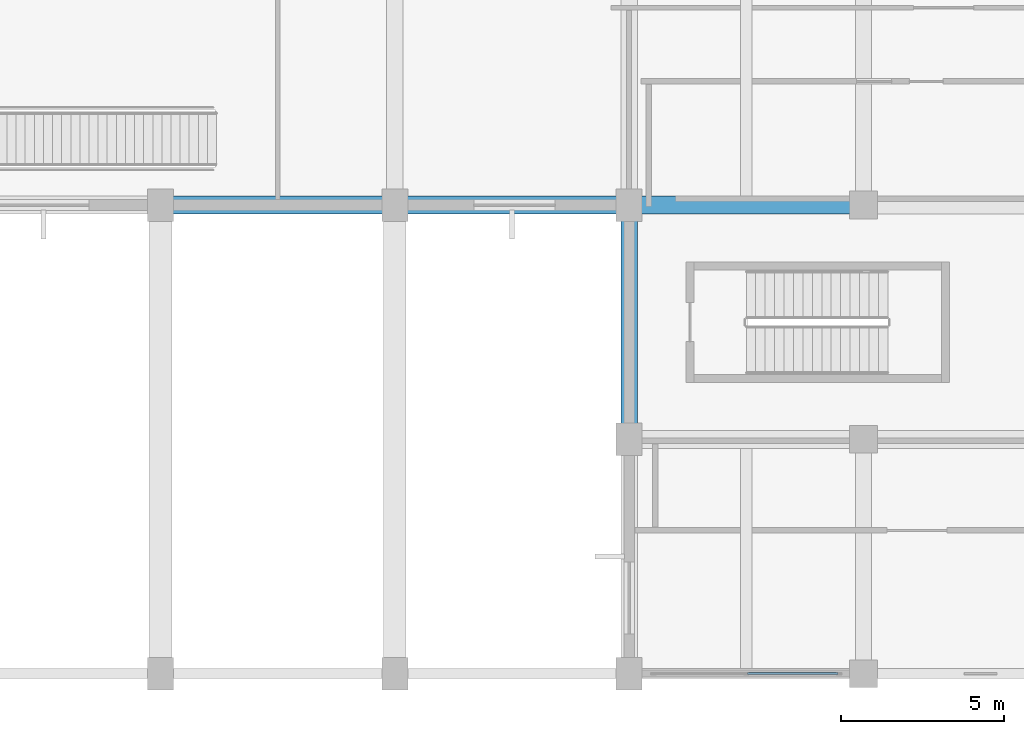
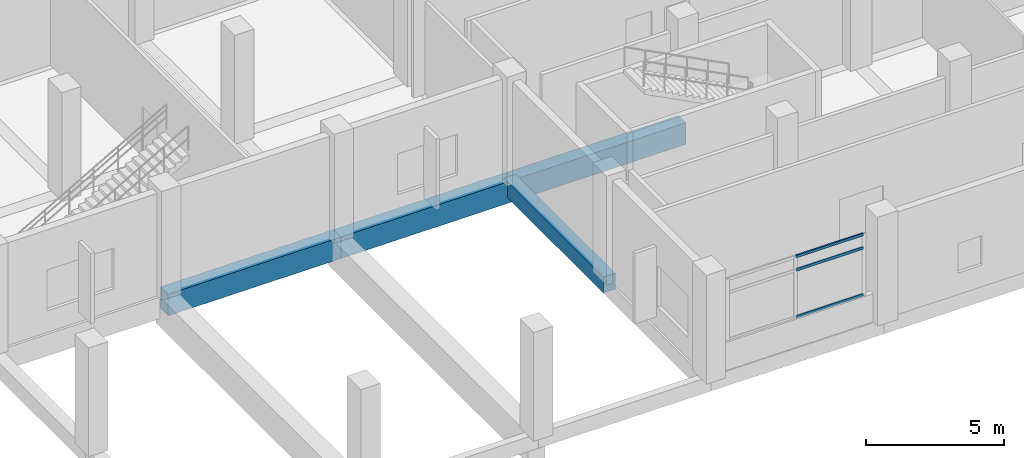
# One storey, part 7 of 181: 4 beams, 3 members, 1 element without a shape of its own.
"""IFC4 building model written with IfcOpenShell, lengths in metres."""

from ifc_helpers import new_model, si_unit, direction, frame, origin, origin_2d, place, context, subcontext, project, spatial, rectangle, hollow_rectangle, extrude, material, layer, layer_set, material_profile, profile_set, type_object, element, aggregate, save


model = new_model("IFC4")

# Units and contexts
model_context = context("Model", 3, precision=1e-05, world=origin(), true_north=direction((0.0, 1.0)))
body_context = subcontext(model_context, "Body", "Model", "MODEL_VIEW")
ifc_project = project(units=[si_unit("LENGTHUNIT", "METRE"), si_unit("AREAUNIT", "SQUARE_METRE"), si_unit("VOLUMEUNIT", "CUBIC_METRE"), si_unit("PLANEANGLEUNIT", "RADIAN"), si_unit("MASSUNIT", "GRAM", prefix="KILO")], contexts=[model_context])

# Site, building, storey
site_placement = place(None, origin())
site = spatial("IfcSite", under=ifc_project, at=site_placement, CompositionType="ELEMENT")
building_placement = place(site_placement, origin())
building = spatial("IfcBuilding", under=site, at=building_placement, Name="Seraya Terrace Polytechnic", CompositionType="ELEMENT")
storey_placement = place(building_placement, frame((0.0, 0.0, 4.800048828125)))
storey = spatial("IfcBuildingStorey", under=building, at=storey_placement, Name="L01", CompositionType="ELEMENT", Elevation=4.800048828125)

# Beams
ifc_material_1 = material(Name="Concrete C40/50", Category="concrete")
ifc_material_profile_1 = material_profile(ifc_material_1, rectangle(XDim=0.550048828125, YDim=0.949951171875, at=origin_2d()), Name="RC 550x950")
ifc_profile_set_1 = profile_set([ifc_material_profile_1], Name="Concrete C40/50")
beam_type_1 = type_object("IfcBeamType", Name="BM-03", PredefinedType="BEAM", material=ifc_profile_set_1)
for number, where, z_axis, x_axis, name in (
    (1, (28.800048828125, 14.39990234375, -0.47509765625), (1.0, 0.0, 0.0), (0.0, 1.0, 0.0), "Beam BM-03 L01 X (28.8..36.0, 14.4)"),
    (2, (36.0, 14.39990234375, -0.47509765625), (1.0, 0.0, 0.0), (0.0, 1.0, 0.0), "Beam BM-03 L01 X (36.0..43.2, 14.4)"),
    (3, (43.199951171875, 14.39990234375, -0.47509765625), (1.0, 0.0, 0.0), (0.0, 1.0, 0.0), "Beam BM-03 L01 X (43.2..50.4, 14.4)"),
):
    element("IfcBeam", number, at=place(storey_placement, frame(where, z_axis=z_axis, x_axis=x_axis)), inside=storey, type_object=beam_type_1, Name=name, PredefinedType="BEAM", context=body_context, shape_type="SweptSolid", body=[
        extrude(rectangle(XDim=0.550048828125, YDim=0.949951171875, at=origin_2d()), origin(), (0.0, 0.0, 1.0), 7.199951171875),
    ])
ifc_material_profile_2 = material_profile(ifc_material_1, rectangle(XDim=0.5, YDim=0.699951171875, at=origin_2d()), Name="RC 500x700")
ifc_profile_set_2 = profile_set([ifc_material_profile_2], Name="Concrete C40/50")
beam_type_2 = type_object("IfcBeamType", Name="BM-07", PredefinedType="BEAM", material=ifc_profile_set_2)
beam_placement = place(storey_placement, frame((43.199951171875, 7.199951171875, -0.35009765625), z_axis=(0.0, 1.0, 0.0), x_axis=(-1.0, 0.0, 0.0)))
element("IfcBeam", 4, at=beam_placement, inside=storey, type_object=beam_type_2, Name="Beam BM-07 L01 Y (43.2, 7.2..14.4)", PredefinedType="BEAM", context=body_context, shape_type="SweptSolid", body=[
    extrude(rectangle(XDim=0.5, YDim=0.699951171875, at=origin_2d()), origin(), (0.0, 0.0, 1.0), 7.199951171875),
])

# Curtain wall, members
ifc_material_2 = material(Name="Anodised aluminium EN AW-6063 T6", Category="aluminium")
ifc_layer = layer(ifc_material_2, 0.179931640625, Name="CW-35")
ifc_layer_set = layer_set([ifc_layer], Name="Anodised aluminium EN AW-6063 T6")
curtain_wall_type = type_object("IfcCurtainWallType", Name="CW-35", PredefinedType="NOTDEFINED", material=ifc_layer_set)
curtain_wall_placement = place(storey_placement, origin())
curtain_wall = element("IfcCurtainWall", 5, at=curtain_wall_placement, inside=storey, type_object=curtain_wall_type, Name="Unitised curtain wall CW-35 (CW-L01-035)", PredefinedType="NOTDEFINED")
ifc_material_profile_3 = material_profile(ifc_material_2, hollow_rectangle(XDim=0.06005859375, YDim=0.1201171875, WallThickness=0.003173828125, at=origin_2d()), Name="RHS 120x60x3.2")
ifc_profile_set_3 = profile_set([ifc_material_profile_3], Name="Anodised aluminium EN AW-6063 T6")
member_type = type_object("IfcMemberType", Name="CWT-02", PredefinedType="USERDEFINED", material=ifc_profile_set_3)
member_1_placement = place(storey_placement, frame((49.6201171875, 0.0, 1.27001953125), z_axis=(-1.0, 0.0, 0.0), x_axis=(0.0, -1.0, 0.0)))
member_1 = element("IfcMember", 6, at=member_1_placement, type_object=member_type, Name="CW-35 transom 1.1", ObjectType="TRANSOM", PredefinedType="USERDEFINED", context=body_context, shape_type="SweptSolid", body=[
    extrude(hollow_rectangle(XDim=0.06005859375, YDim=0.1201171875, WallThickness=0.003173828125, at=origin_2d()), origin(), (0.0, 0.0, 1.0), 2.7900390625),
])
member_2_placement = place(storey_placement, frame((49.6201171875, 0.0, 3.33984375), z_axis=(-1.0, 0.0, 0.0), x_axis=(0.0, -1.0, 0.0)))
member_2 = element("IfcMember", 7, at=member_2_placement, type_object=member_type, Name="CW-35 transom 1.2", ObjectType="TRANSOM", PredefinedType="USERDEFINED", context=body_context, shape_type="SweptSolid", body=[
    extrude(hollow_rectangle(XDim=0.06005859375, YDim=0.1201171875, WallThickness=0.003173828125, at=origin_2d()), origin(), (0.0, 0.0, 1.0), 2.7900390625),
])
member_3_placement = place(storey_placement, frame((49.6201171875, 0.0, 3.929931640625), z_axis=(-1.0, 0.0, 0.0), x_axis=(0.0, -1.0, 0.0)))
member_3 = element("IfcMember", 8, at=member_3_placement, type_object=member_type, Name="CW-35 transom 1.3", ObjectType="TRANSOM", PredefinedType="USERDEFINED", context=body_context, shape_type="SweptSolid", body=[
    extrude(hollow_rectangle(XDim=0.06005859375, YDim=0.1201171875, WallThickness=0.003173828125, at=origin_2d()), origin(), (0.0, 0.0, 1.0), 2.7900390625),
])
aggregate(curtain_wall, [member_1, member_2, member_3])

save(model, "model.ifc")
